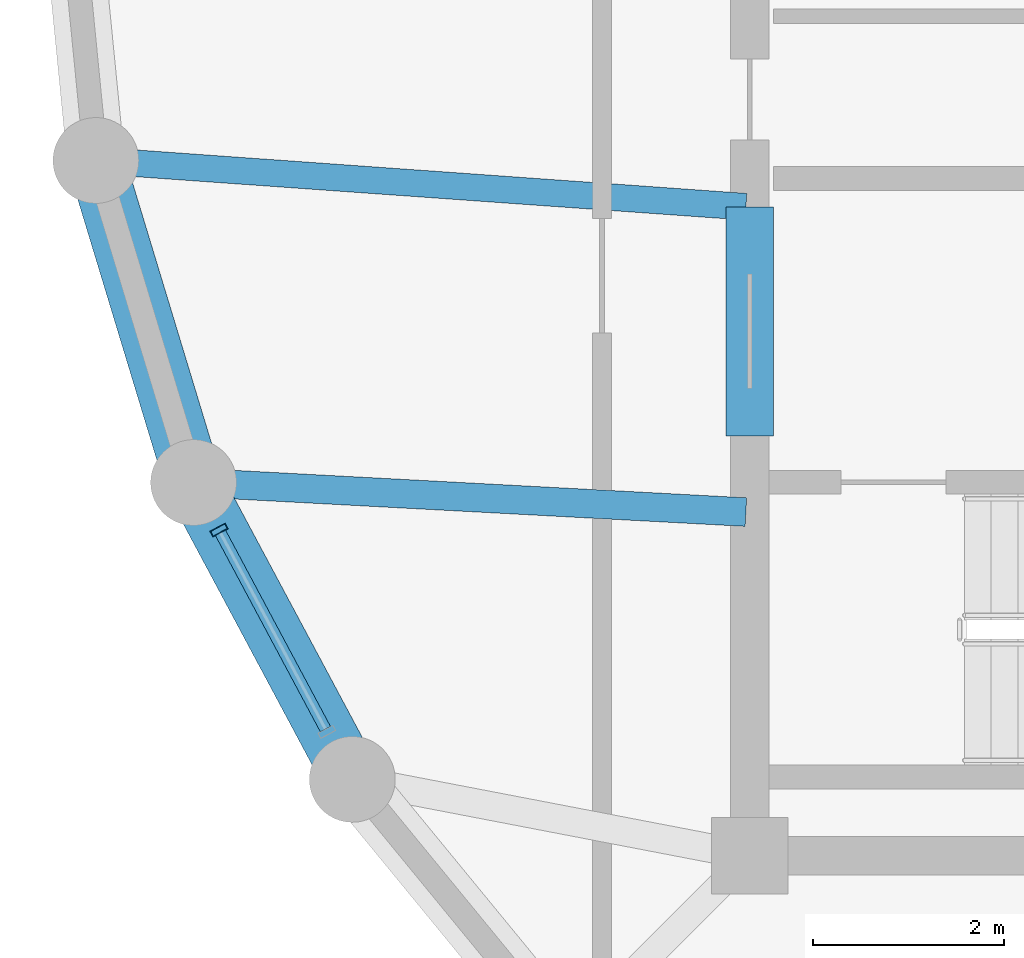
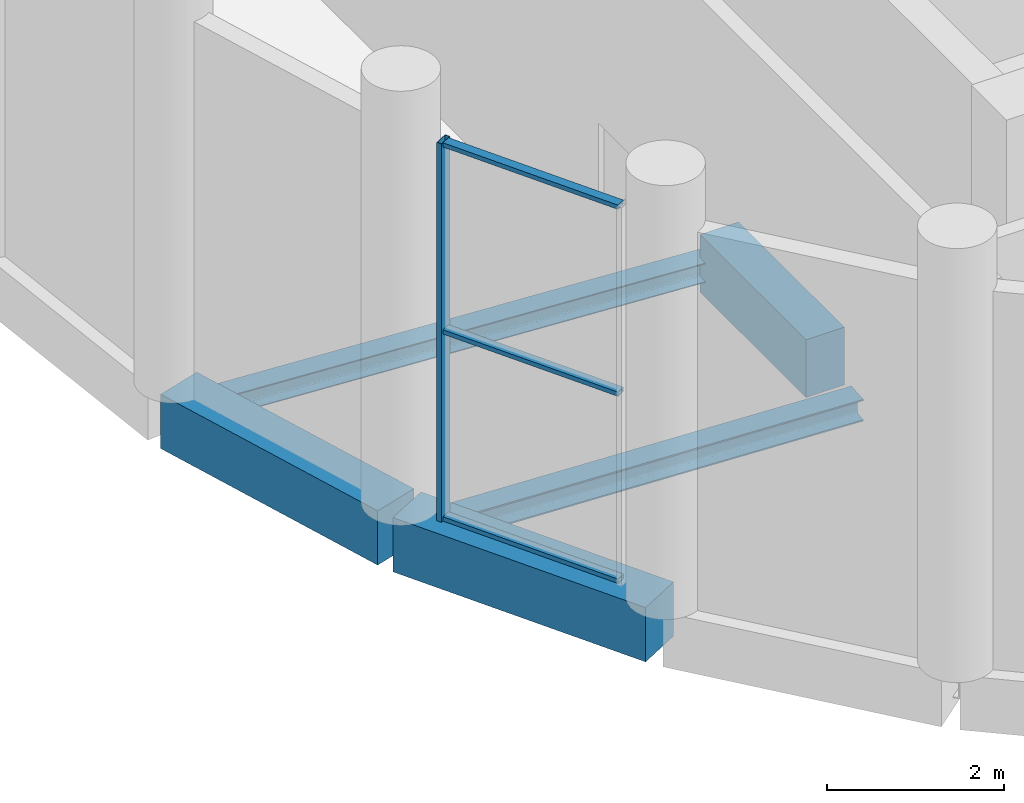
# One storey, part 3 of 17: 5 beams, 4 members, 1 element without a shape of its own.
"""IFC4 building model written with IfcOpenShell, lengths in metres."""

from ifc_helpers import new_model, si_unit, direction, frame, origin, origin_2d, place, context, subcontext, project, spatial, rectangle, hollow_rectangle, i_section, extrude, material, layer, layer_set, material_profile, profile_set, type_object, element, aggregate, save


model = new_model("IFC4")

# Units and contexts
model_context = context("Model", 3, precision=1e-05, world=origin(), true_north=direction((0.0, 1.0)))
body_context = subcontext(model_context, "Body", "Model", "MODEL_VIEW")
ifc_project = project(units=[si_unit("LENGTHUNIT", "METRE"), si_unit("AREAUNIT", "SQUARE_METRE"), si_unit("VOLUMEUNIT", "CUBIC_METRE"), si_unit("PLANEANGLEUNIT", "RADIAN"), si_unit("MASSUNIT", "GRAM", prefix="KILO")], contexts=[model_context])

# Site, building, storey
site_placement = place(None, origin())
site = spatial("IfcSite", under=ifc_project, at=site_placement, CompositionType="ELEMENT")
building_placement = place(site_placement, origin())
building = spatial("IfcBuilding", under=site, at=building_placement, Name="Solnavia Interchange Tower", CompositionType="ELEMENT")
storey_placement = place(building_placement, frame((0.0, 0.0, 249.800048828125)))
storey = spatial("IfcBuildingStorey", under=building, at=storey_placement, Name="L63", CompositionType="ELEMENT", Elevation=249.800048828125)

# Beams
ifc_material_1 = material(Name="Concrete C50/60", Category="concrete")
ifc_material_profile_1 = material_profile(ifc_material_1, rectangle(XDim=0.5, YDim=0.800048828125, at=origin_2d()), Name="RC 500x800")
ifc_profile_set_1 = profile_set([ifc_material_profile_1], Name="Concrete C50/60")
beam_type_1 = type_object("IfcBeamType", Name="Beam-Coupling-RC500x800", PredefinedType="LINTEL", material=ifc_profile_set_1)
beam_1_placement = place(storey_placement, frame((14.39990234375, 15.199951171875, -0.400146484375), z_axis=(0.0, 1.0, 0.0), x_axis=(-1.0, 0.0, 0.0)))
element("IfcBeam", 1, at=beam_1_placement, inside=storey, type_object=beam_type_1, Name="CPB-L63-W1 Core coupling lintel beam", PredefinedType="LINTEL", context=body_context, shape_type="SweptSolid", body=[
    extrude(rectangle(XDim=0.5, YDim=0.800048828125, at=origin_2d()), origin(), (0.0, 0.0, 1.0), 2.400146484375),
])
ifc_material_2 = material(Name="Steel S460", Category="steel")
ifc_material_profile_2 = material_profile(ifc_material_2, i_section(OverallWidth=0.300048828125, OverallDepth=0.300048828125, WebThickness=0.010986328125, FlangeThickness=0.01904296875, FilletRadius=0.027099609375, at=origin_2d()), Name="HEB 300")
ifc_profile_set_2 = profile_set([ifc_material_profile_2], Name="Steel S460")
beam_type_2 = type_object("IfcBeamType", Name="Beam-Girder-HEB300", PredefinedType="BEAM", material=ifc_profile_set_2)
beam_2_placement = place(storey_placement, frame((8.64990234375, 14.707763671875, -0.469970703125), z_axis=(0.998570371303, -0.053452909696, 0.0), x_axis=(0.053452909696, 0.998570371303, 0.0)))
element("IfcBeam", 2, at=beam_2_placement, inside=storey, type_object=beam_type_2, Name="GRD-L63-DR04 Drum radial floor girder", PredefinedType="BEAM", context=body_context, shape_type="SweptSolid", body=[
    extrude(i_section(OverallWidth=0.300048828125, OverallDepth=0.300048828125, WebThickness=0.010986328125, FlangeThickness=0.01904296875, FilletRadius=0.027099609375, at=origin_2d()), origin(), (0.0, 0.0, 1.0), 5.71826171875),
])
ifc_material_3 = material(Name="Steel S355", Category="steel")
ifc_material_profile_3 = material_profile(ifc_material_3, i_section(OverallWidth=0.280029296875, OverallDepth=0.27001953125, WebThickness=0.008056640625, FlangeThickness=0.012939453125, FilletRadius=0.02392578125, at=origin_2d()), Name="HEA 280")
ifc_profile_set_3 = profile_set([ifc_material_profile_3], Name="Steel S355")
beam_type_3 = type_object("IfcBeamType", Name="Beam-Primary-HEA280", PredefinedType="BEAM", material=ifc_profile_set_3)
beam_3_placement = place(storey_placement, frame((7.625732421875, 18.082275390625, -0.455078125), z_axis=(0.99747482749, -0.071020902015, 0.0), x_axis=(0.071020902015, 0.99747482749, 0.0)))
element("IfcBeam", 3, at=beam_3_placement, inside=storey, type_object=beam_type_3, Name="GRD-L63-DR03 Drum radial floor girder", PredefinedType="BEAM", context=body_context, shape_type="SweptSolid", body=[
    extrude(i_section(OverallWidth=0.280029296875, OverallDepth=0.27001953125, WebThickness=0.008056640625, FlangeThickness=0.012939453125, FilletRadius=0.02392578125, at=origin_2d()), origin(), (0.0, 0.0, 1.0), 6.75146484375),
])
ifc_material_profile_4 = material_profile(ifc_material_1, rectangle(XDim=0.60009765625, YDim=0.75, at=origin_2d()), Name="RC 600x750")
ifc_profile_set_4 = profile_set([ifc_material_profile_4], Name="Concrete C50/60")
beam_type_4 = type_object("IfcBeamType", Name="Beam-Spandrel-RC600x750", PredefinedType="SPANDREL", material=ifc_profile_set_4)
beam_4_placement = place(storey_placement, frame((7.569091796875, 18.011474609375, -0.375), z_axis=(0.290319223646, -0.956929855518, 0.0), x_axis=(0.956929855518, 0.290319223646, 0.0)))
element("IfcBeam", 4, at=beam_4_placement, inside=storey, type_object=beam_type_4, Name="SPB-L63-02 Framed-tube perimeter spandrel beam", PredefinedType="SPANDREL", context=body_context, shape_type="SweptSolid", body=[
    extrude(rectangle(XDim=0.60009765625, YDim=0.75, at=origin_2d()), origin(), (0.0, 0.0, 1.0), 3.367919921875),
])
beam_5_placement = place(storey_placement, frame((8.607666015625, 14.6416015625, -0.375), z_axis=(0.471509422952, -0.881861023102, 0.0), x_axis=(0.881861023102, 0.471509422952, 0.0)))
element("IfcBeam", 5, at=beam_5_placement, inside=storey, type_object=beam_type_4, Name="SPB-L63-03 Framed-tube perimeter spandrel beam", PredefinedType="SPANDREL", context=body_context, shape_type="SweptSolid", body=[
    extrude(rectangle(XDim=0.60009765625, YDim=0.75, at=origin_2d()), origin(), (0.0, 0.0, 1.0), 3.369140625),
])

# Curtain wall, members
ifc_material_4 = material(Name="Aluminium Alloy 6063-T6", Category="aluminium")
ifc_layer = layer(ifc_material_4, 0.199951171875)
ifc_layer_set = layer_set([ifc_layer], Name="Aluminium Alloy 6063-T6")
curtain_wall_type = type_object("IfcCurtainWallType", Name="CurtainWall-Louvre-CTW5", PredefinedType="NOTDEFINED", material=ifc_layer_set)
curtain_wall_placement = place(storey_placement, origin())
curtain_wall = element("IfcCurtainWall", 6, at=curtain_wall_placement, inside=storey, type_object=curtain_wall_type, Name="CTW-L63-L39 CTW-5 curtain wall", PredefinedType="NOTDEFINED")
ifc_material_profile_5 = material_profile(ifc_material_4, hollow_rectangle(XDim=0.06494140625, YDim=0.179931640625, WallThickness=0.00439453125, at=origin_2d()), Name="ALU 180x65x4.5")
ifc_profile_set_5 = profile_set([ifc_material_profile_5], Name="Aluminium Alloy 6063-T6")
member_type_1 = type_object("IfcMemberType", Name="CW-Mullion-CWM-5", PredefinedType="MULLION", material=ifc_profile_set_5)
member_1_placement = place(storey_placement, frame((8.83642578125, 14.213623046875, 0.0), z_axis=(0.0, 0.0, 1.0), x_axis=(0.471527483948, -0.881851366094, 0.0)))
member_1 = element("IfcMember", 7, at=member_1_placement, type_object=member_type_1, Name="CTW-5 mullion 1", PredefinedType="MULLION", context=body_context, shape_type="SweptSolid", body=[
    extrude(hollow_rectangle(XDim=0.06494140625, YDim=0.179931640625, WallThickness=0.00439453125, at=origin_2d()), origin(), (0.0, 0.0, 1.0), 5.22998046875),
])
ifc_material_profile_6 = material_profile(ifc_material_4, hollow_rectangle(XDim=0.06005859375, YDim=0.1201171875, WallThickness=0.00390625, at=origin_2d()), Name="ALU 120x60x4")
ifc_profile_set_6 = profile_set([ifc_material_profile_6], Name="Aluminium Alloy 6063-T6")
member_type_2 = type_object("IfcMemberType", Name="CW-Transom-CWT-5", PredefinedType="USERDEFINED", material=ifc_profile_set_6)
member_2_placement = place(storey_placement, frame((8.851806640625, 14.18505859375, 0.030029296875), z_axis=(0.471483886783, -0.881874676189, 0.0), x_axis=(0.0, 0.0, 1.0)))
member_2 = element("IfcMember", 8, at=member_2_placement, type_object=member_type_2, Name="CTW-5 transom 1.1", ObjectType="TRANSOM", PredefinedType="USERDEFINED", context=body_context, shape_type="SweptSolid", body=[
    extrude(hollow_rectangle(XDim=0.06005859375, YDim=0.1201171875, WallThickness=0.00390625, at=origin_2d()), origin(), (0.0, 0.0, 1.0), 2.333740234375),
])
member_3_placement = place(storey_placement, frame((8.851806640625, 14.18505859375, 2.614990234375), z_axis=(0.471483886783, -0.881874676189, 0.0), x_axis=(0.0, 0.0, 1.0)))
member_3 = element("IfcMember", 9, at=member_3_placement, type_object=member_type_2, Name="CTW-5 transom 1.2", ObjectType="TRANSOM", PredefinedType="USERDEFINED", context=body_context, shape_type="SweptSolid", body=[
    extrude(hollow_rectangle(XDim=0.06005859375, YDim=0.1201171875, WallThickness=0.00390625, at=origin_2d()), origin(), (0.0, 0.0, 1.0), 2.333740234375),
])
member_4_placement = place(storey_placement, frame((8.851806640625, 14.18505859375, 5.199951171875), z_axis=(0.471483886783, -0.881874676189, 0.0), x_axis=(0.0, 0.0, 1.0)))
member_4 = element("IfcMember", 10, at=member_4_placement, type_object=member_type_2, Name="CTW-5 transom 1.3", ObjectType="TRANSOM", PredefinedType="USERDEFINED", context=body_context, shape_type="SweptSolid", body=[
    extrude(hollow_rectangle(XDim=0.06005859375, YDim=0.1201171875, WallThickness=0.00390625, at=origin_2d()), origin(), (0.0, 0.0, 1.0), 2.333740234375),
])
aggregate(curtain_wall, [member_1, member_2, member_3, member_4])

save(model, "model.ifc")
